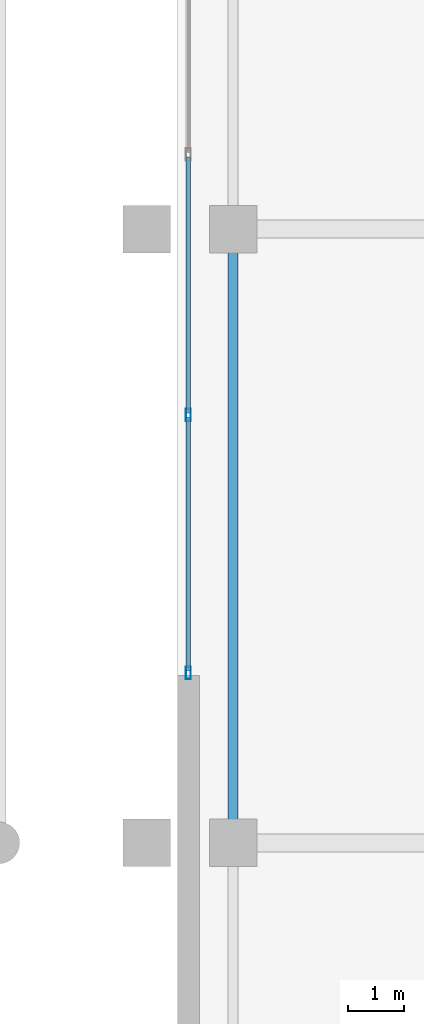
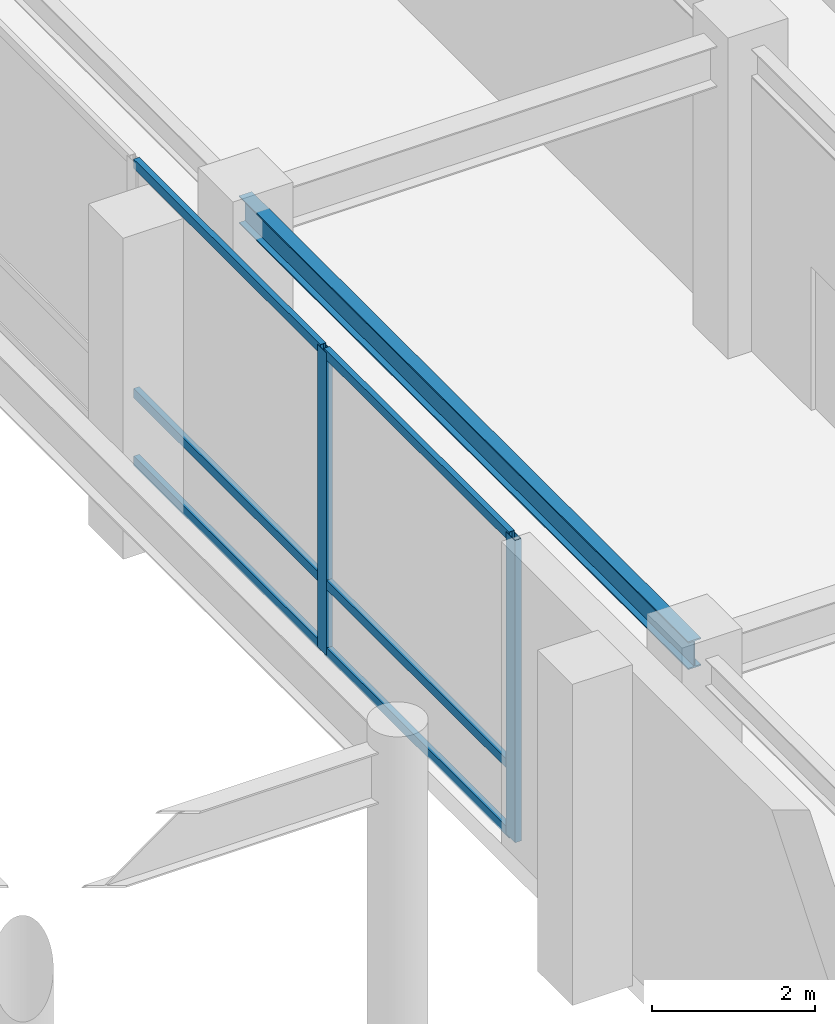
# One storey, part 11 of 40: 8 members, 1 beam, 1 element without a shape of its own.
"""IFC4 building model written with IfcOpenShell, lengths in metres."""

from ifc_helpers import new_model, si_unit, direction, frame, origin, origin_2d, place, context, subcontext, project, spatial, hollow_rectangle, i_section, extrude, material, layer, layer_set, material_profile, profile_set, type_object, element, aggregate, save


model = new_model("IFC4")

# Units and contexts
model_context = context("Model", 3, precision=1e-05, world=origin(), true_north=direction((0.0, 1.0)))
body_context = subcontext(model_context, "Body", "Model", "MODEL_VIEW")
ifc_project = project(units=[si_unit("LENGTHUNIT", "METRE"), si_unit("AREAUNIT", "SQUARE_METRE"), si_unit("VOLUMEUNIT", "CUBIC_METRE"), si_unit("PLANEANGLEUNIT", "RADIAN"), si_unit("MASSUNIT", "GRAM", prefix="KILO")], contexts=[model_context])

# Site, building, storey
site_placement = place(None, origin())
site = spatial("IfcSite", under=ifc_project, at=site_placement, CompositionType="ELEMENT")
building_placement = place(site_placement, origin())
building = spatial("IfcBuilding", under=site, at=building_placement, Name="Kazevale Care Tower and Concert Hall", CompositionType="ELEMENT")
storey_placement = place(building_placement, frame((0.0, 0.0, 4.800048828125)))
storey = spatial("IfcBuildingStorey", under=building, at=storey_placement, Name="L01", CompositionType="ELEMENT", Elevation=4.800048828125)

# Curtain wall, members
ifc_material_1 = material(Name="Aluminium 6063-T6 and Low-E Glass", Category="aluminium")
ifc_layer = layer(ifc_material_1, 0.179931640625)
ifc_layer_set = layer_set([ifc_layer], Name="Aluminium 6063-T6 and Low-E Glass")
curtain_wall_type = type_object("IfcCurtainWallType", Name="Concert Hall Foyer Storefront Curtain Wall CW-6", PredefinedType="NOTDEFINED", material=ifc_layer_set)
curtain_wall_placement = place(storey_placement, origin())
curtain_wall = element("IfcCurtainWall", 1, at=curtain_wall_placement, inside=storey, type_object=curtain_wall_type, Name="cw:L01:hall:W2", PredefinedType="NOTDEFINED")
ifc_material_2 = material(Name="Aluminium 6063-T6", Category="aluminium")
ifc_material_profile_1 = material_profile(ifc_material_2, hollow_rectangle(XDim=0.090087890625, YDim=0.219970703125, WallThickness=0.0048828125, at=origin_2d()), Name="ALU90x220x5")
ifc_profile_set_1 = profile_set([ifc_material_profile_1], Name="Aluminium 6063-T6")
member_type_1 = type_object("IfcMemberType", Name="CW-6 Mullion ALU90x220x5", PredefinedType="MULLION", material=ifc_profile_set_1)
member_1_placement = place(storey_placement, frame((96.199951171875, 32.666748046875, 0.0), z_axis=(0.0, 0.0, 1.0), x_axis=(1.0, 0.0, 0.0)))
member_1 = element("IfcMember", 2, at=member_1_placement, type_object=member_type_1, Name="CW-6 mullion 3", PredefinedType="MULLION", context=body_context, shape_type="SweptSolid", body=[
    extrude(hollow_rectangle(XDim=0.090087890625, YDim=0.219970703125, WallThickness=0.0048828125, at=origin_2d()), origin(), (0.0, 0.0, 1.0), 4.52001953125),
])
member_2_placement = place(storey_placement, frame((96.199951171875, 28.044921875, 0.0), z_axis=(0.0, 0.0, 1.0), x_axis=(1.0, 0.0, 0.0)))
member_2 = element("IfcMember", 3, at=member_2_placement, type_object=member_type_1, Name="CW-6 mullion 4", PredefinedType="MULLION", context=body_context, shape_type="SweptSolid", body=[
    extrude(hollow_rectangle(XDim=0.090087890625, YDim=0.219970703125, WallThickness=0.0048828125, at=origin_2d()), origin(), (0.0, 0.0, 1.0), 4.52001953125),
])
ifc_material_profile_2 = material_profile(ifc_material_2, hollow_rectangle(XDim=0.080078125, YDim=0.139892578125, WallThickness=0.00390625, at=origin_2d()), Name="ALU80x140x4")
ifc_profile_set_2 = profile_set([ifc_material_profile_2], Name="Aluminium 6063-T6")
member_type_2 = type_object("IfcMemberType", Name="CW-6 Transom ALU80x140x4", PredefinedType="USERDEFINED", material=ifc_profile_set_2)
member_3_placement = place(storey_placement, frame((96.199951171875, 37.288330078125, 0.0400390625), z_axis=(0.0, -1.0, 0.0), x_axis=(1.0, 0.0, 0.0)))
member_3 = element("IfcMember", 4, at=member_3_placement, type_object=member_type_2, Name="CW-6 transom 2.1", ObjectType="TRANSOM", PredefinedType="USERDEFINED", context=body_context, shape_type="SweptSolid", body=[
    extrude(hollow_rectangle(XDim=0.080078125, YDim=0.139892578125, WallThickness=0.00390625, at=origin_2d()), origin(), (0.0, 0.0, 1.0), 4.57666015625),
])
member_4_placement = place(storey_placement, frame((96.199951171875, 37.288330078125, 1.050048828125), z_axis=(0.0, -1.0, 0.0), x_axis=(1.0, 0.0, 0.0)))
member_4 = element("IfcMember", 5, at=member_4_placement, type_object=member_type_2, Name="CW-6 transom 2.2", ObjectType="TRANSOM", PredefinedType="USERDEFINED", context=body_context, shape_type="SweptSolid", body=[
    extrude(hollow_rectangle(XDim=0.080078125, YDim=0.139892578125, WallThickness=0.00390625, at=origin_2d()), origin(), (0.0, 0.0, 1.0), 4.57666015625),
])
member_5_placement = place(storey_placement, frame((96.199951171875, 37.288330078125, 4.47998046875), z_axis=(0.0, -1.0, 0.0), x_axis=(1.0, 0.0, 0.0)))
member_5 = element("IfcMember", 6, at=member_5_placement, type_object=member_type_2, Name="CW-6 transom 2.3", ObjectType="TRANSOM", PredefinedType="USERDEFINED", context=body_context, shape_type="SweptSolid", body=[
    extrude(hollow_rectangle(XDim=0.080078125, YDim=0.139892578125, WallThickness=0.00390625, at=origin_2d()), origin(), (0.0, 0.0, 1.0), 4.57666015625),
])
member_6_placement = place(storey_placement, frame((96.199951171875, 32.62158203125, 0.0400390625), z_axis=(0.0, -1.0, 0.0), x_axis=(1.0, 0.0, 0.0)))
member_6 = element("IfcMember", 7, at=member_6_placement, type_object=member_type_2, Name="CW-6 transom 3.1", ObjectType="TRANSOM", PredefinedType="USERDEFINED", context=body_context, shape_type="SweptSolid", body=[
    extrude(hollow_rectangle(XDim=0.080078125, YDim=0.139892578125, WallThickness=0.00390625, at=origin_2d()), origin(), (0.0, 0.0, 1.0), 4.531494140625),
])
member_7_placement = place(storey_placement, frame((96.199951171875, 32.62158203125, 1.050048828125), z_axis=(0.0, -1.0, 0.0), x_axis=(1.0, 0.0, 0.0)))
member_7 = element("IfcMember", 8, at=member_7_placement, type_object=member_type_2, Name="CW-6 transom 3.2", ObjectType="TRANSOM", PredefinedType="USERDEFINED", context=body_context, shape_type="SweptSolid", body=[
    extrude(hollow_rectangle(XDim=0.080078125, YDim=0.139892578125, WallThickness=0.00390625, at=origin_2d()), origin(), (0.0, 0.0, 1.0), 4.531494140625),
])
member_8_placement = place(storey_placement, frame((96.199951171875, 32.62158203125, 4.47998046875), z_axis=(0.0, -1.0, 0.0), x_axis=(1.0, 0.0, 0.0)))
member_8 = element("IfcMember", 9, at=member_8_placement, type_object=member_type_2, Name="CW-6 transom 3.3", ObjectType="TRANSOM", PredefinedType="USERDEFINED", context=body_context, shape_type="SweptSolid", body=[
    extrude(hollow_rectangle(XDim=0.080078125, YDim=0.139892578125, WallThickness=0.00390625, at=origin_2d()), origin(), (0.0, 0.0, 1.0), 4.531494140625),
])
aggregate(curtain_wall, [member_1, member_2, member_3, member_4, member_5, member_6, member_7, member_8])

# Beam
ifc_material_3 = material(Name="Steel ASTM A572 Gr 50", Category="steel")
ifc_material_profile_3 = material_profile(ifc_material_3, i_section(OverallWidth=0.180908203125, OverallDepth=0.4169921875, WebThickness=0.010986328125, FlangeThickness=0.018310546875, at=origin_2d()), Name="W410x85")
ifc_profile_set_3 = profile_set([ifc_material_profile_3], Name="Steel ASTM A572 Gr 50")
beam_type = type_object("IfcBeamType", Name="Concert Hall Secondary Beam W410x85", PredefinedType="BEAM", material=ifc_profile_set_3)
beam_placement = place(storey_placement, frame((97.0, 25.0, 4.3115234375), z_axis=(0.0, 1.0, 0.0), x_axis=(-1.0, 0.0, 0.0)))
element("IfcBeam", 10, at=beam_placement, inside=storey, type_object=beam_type, Name="beam:L01:hy:97_25", PredefinedType="BEAM", context=body_context, shape_type="SweptSolid", body=[
    extrude(i_section(OverallWidth=0.180908203125, OverallDepth=0.4169921875, WebThickness=0.010986328125, FlangeThickness=0.018310546875, at=origin_2d()), origin(), (0.0, 0.0, 1.0), 11.0),
])

save(model, "model.ifc")
